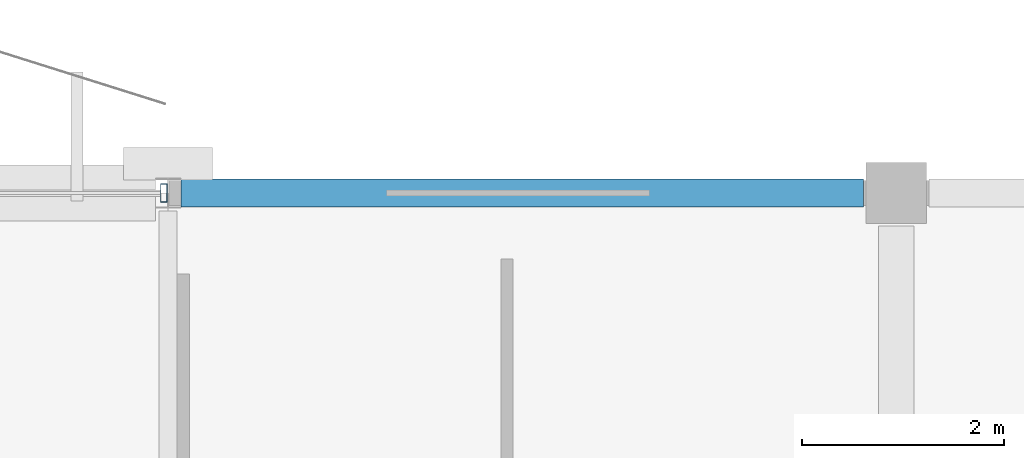
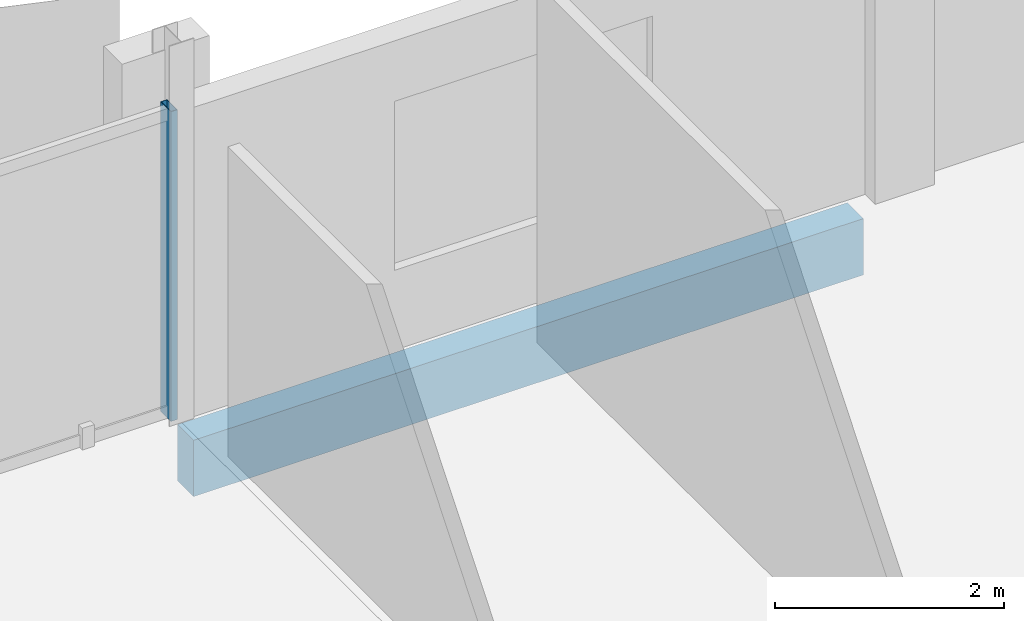
# One storey, part 44 of 77: 1 beam, 1 member, 1 element without a shape of its own.
"""IFC4 building model written with IfcOpenShell, lengths in metres."""

from ifc_helpers import new_model, si_unit, direction, frame, origin, origin_2d, place, context, subcontext, project, spatial, rectangle, hollow_rectangle, extrude, material, layer, layer_set, material_profile, profile_set, type_object, element, aggregate, save


model = new_model("IFC4")

# Units and contexts
model_context = context("Model", 3, precision=1e-05, world=origin(), true_north=direction((0.0, 1.0)))
body_context = subcontext(model_context, "Body", "Model", "MODEL_VIEW")
ifc_project = project(units=[si_unit("LENGTHUNIT", "METRE"), si_unit("AREAUNIT", "SQUARE_METRE"), si_unit("VOLUMEUNIT", "CUBIC_METRE"), si_unit("PLANEANGLEUNIT", "RADIAN"), si_unit("MASSUNIT", "GRAM", prefix="KILO")], contexts=[model_context])

# Site, building, storey
site_placement = place(None, origin())
site = spatial("IfcSite", under=ifc_project, at=site_placement, CompositionType="ELEMENT")
building_placement = place(site_placement, origin())
building = spatial("IfcBuilding", under=site, at=building_placement, Name="Kangsadwip Square Police Headquarters", CompositionType="ELEMENT")
storey_placement = place(building_placement, frame((0.0, 0.0, 17.550048828125)))
storey = spatial("IfcBuildingStorey", under=building, at=storey_placement, Name="L04", CompositionType="ELEMENT", Elevation=17.550048828125)

# Curtain wall, member
ifc_material_1 = material(Name="Thermally broken anodised aluminium AW-6063-T6", Category="aluminium")
ifc_layer = layer(ifc_material_1, 0.159912109375)
ifc_layer_set = layer_set([ifc_layer], Name="Thermally broken anodised aluminium AW-6063-T6")
curtain_wall_type = type_object("IfcCurtainWallType", Name="UnitisedCw7180x3300", PredefinedType="NOTDEFINED", material=ifc_layer_set)
curtain_wall_placement = place(storey_placement, origin())
curtain_wall = element("IfcCurtainWall", 1, at=curtain_wall_placement, inside=storey, type_object=curtain_wall_type, Name="Curtain Wall CW-L04-1368-1152", PredefinedType="NOTDEFINED")
ifc_material_2 = material(Name="Thermally broken anodised aluminium AW-6063-T6", Category="aluminium")
ifc_material_profile_1 = material_profile(ifc_material_2, hollow_rectangle(XDim=0.06494140625, YDim=0.179931640625, WallThickness=0.00390625, at=origin_2d()), Name="CWM 180X65X4")
ifc_profile_set_1 = profile_set([ifc_material_profile_1], Name="Thermally broken anodised aluminium AW-6063-T6")
member_type = type_object("IfcMemberType", Name="CwMullion160x65", PredefinedType="MULLION", material=ifc_profile_set_1)
member_placement = place(storey_placement, frame((143.95751953125, 115.199951171875, 0.0), z_axis=(0.0, 0.0, 1.0), x_axis=(1.0, 0.0, 0.0)))
member = element("IfcMember", 2, at=member_placement, type_object=member_type, Name="CW-43 mullion 3", PredefinedType="MULLION", context=body_context, shape_type="SweptSolid", body=[
    extrude(hollow_rectangle(XDim=0.06494140625, YDim=0.179931640625, WallThickness=0.00390625, at=origin_2d()), origin(), (0.0, 0.0, 1.0), 3.300048828125),
])
aggregate(curtain_wall, [member])

# Beam
ifc_material_3 = material(Name="Concrete M40 (40 MPa)", Category="concrete")
ifc_material_profile_2 = material_profile(ifc_material_3, rectangle(XDim=0.280029296875, YDim=0.60009765625, at=origin_2d()), Name="RC SPN 600X280")
ifc_profile_set_2 = profile_set([ifc_material_profile_2], Name="Concrete M40 (40 MPa)")
beam_type = type_object("IfcBeamType", Name="RcSpandrel600x280", PredefinedType="SPANDREL", material=ifc_profile_set_2)
beam_placement = place(storey_placement, frame((144.125, 115.199951171875, -0.5400390625), z_axis=(1.0, 0.0, 0.0), x_axis=(0.0, 1.0, 0.0)))
element("IfcBeam", 3, at=beam_placement, inside=storey, type_object=beam_type, Name="Beam BM-L04-X-20-16", PredefinedType="SPANDREL", context=body_context, shape_type="SweptSolid", body=[
    extrude(rectangle(XDim=0.280029296875, YDim=0.60009765625, at=origin_2d()), origin(), (0.0, 0.0, 1.0), 6.75),
])

save(model, "model.ifc")
